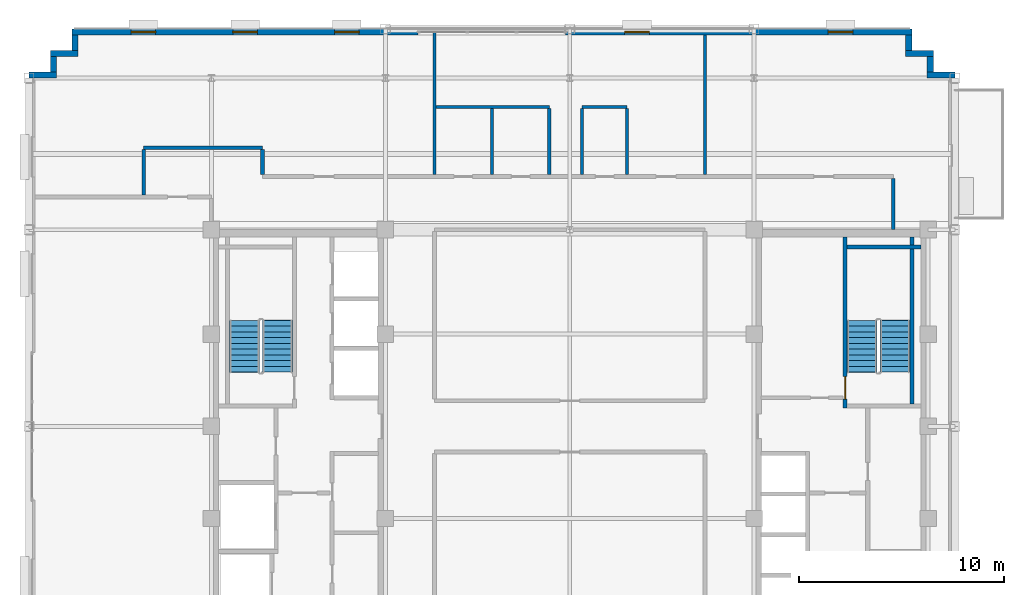
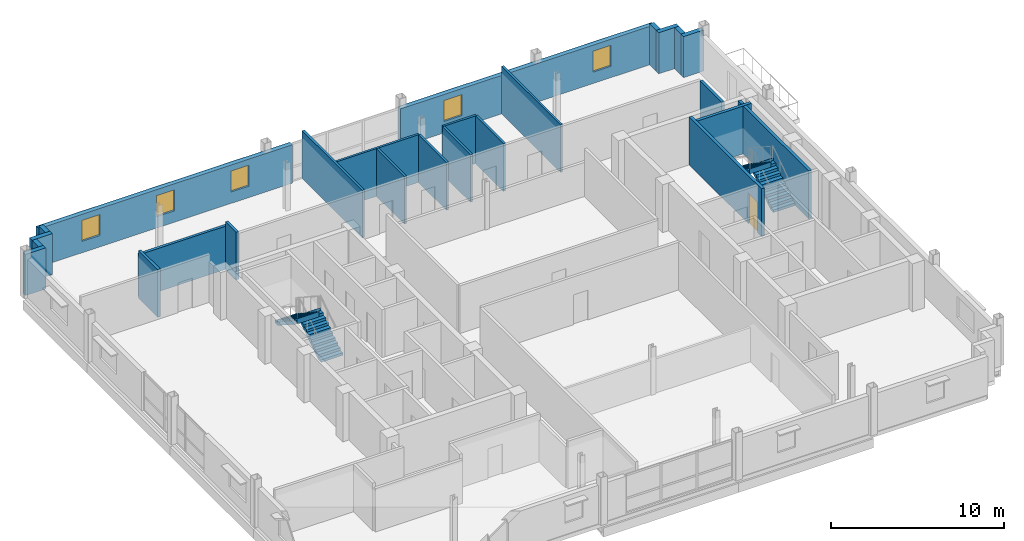
# One storey, part 8 of 16: 25 walls, 5 windows, 4 stair flights, 1 door, 6 openings, 2 elements without a shape of their own.
"""IFC4 building model written with IfcOpenShell, lengths in metres."""

import ifcopenshell
import ifcopenshell.guid

model = None  # the IFC model being written
_history = None  # IfcOwnerHistory: only IFC2X3 demands one
_inside = {}  # id of a spatial element -> (the spatial element, [elements in it])
_under = {}  # id of a project, library or spatial element -> (it, [spatial elements below it])
_declared = {}  # id of a project -> (the project, [libraries it declares])
_typed = {}  # id of a type object -> (the type object, [elements of that type])
_made_of = {}  # id of a material, layer set ... -> (it, [elements and type objects made of it])


def new_model(schema):
    """Start an empty IFC model of exactly this schema.

    Asked for "IFC4X3", IfcOpenShell would pick the latest addendum, in which some entities
    have other attributes; the version numbers below select the first issue.
    IFC2X3 requires an IfcOwnerHistory on every rooted entity: one is made here for all.
    """
    global model, _history
    if schema == "IFC4X3":
        model = ifcopenshell.file(schema_version=(4, 3, 0, 0))
    else:
        model = ifcopenshell.file(schema=schema)
    _inside.clear()
    _under.clear()
    _declared.clear()
    _typed.clear()
    _made_of.clear()
    _history = None
    if model.schema == "IFC2X3":
        org = make("IfcOrganization", Name="unknown")
        user = make(
            "IfcPersonAndOrganization",
            ThePerson=make("IfcPerson", FamilyName="unknown"),
            TheOrganization=org,
        )
        app = make(
            "IfcApplication",
            ApplicationDeveloper=org,
            Version="unknown",
            ApplicationFullName="unknown",
            ApplicationIdentifier="unknown",
        )
        _history = make(
            "IfcOwnerHistory",
            OwningUser=user,
            OwningApplication=app,
            ChangeAction="ADDED",
            CreationDate=0,
        )
    return model


def make(cls, **values):
    """One entity of the class cls with the attributes given. An attribute that is None is left unset."""
    return model.create_entity(
        cls, **{name: value for name, value in values.items() if value is not None}
    )


def rooted(cls, **values):
    """An entity with a GlobalId (a new one), such as an element, a storey or a relation."""
    return make(cls, GlobalId=ifcopenshell.guid.new(), OwnerHistory=_history, **values)


def si_unit(unit_type, name, prefix=None):
    """IfcSIUnit, for example si_unit("LENGTHUNIT", "METRE", prefix="MILLI")."""
    return make("IfcSIUnit", UnitType=unit_type, Prefix=prefix, Name=name)


def assignment(units):
    """IfcUnitAssignment: the units of a project."""
    return None if units is None else make("IfcUnitAssignment", Units=units)


def point(xyz):
    """IfcCartesianPoint."""
    return None if xyz is None else make("IfcCartesianPoint", Coordinates=xyz)


def direction(xyz):
    """IfcDirection."""
    return None if xyz is None else make("IfcDirection", DirectionRatios=xyz)


def frame(location, z_axis=None, x_axis=None):
    """IfcAxis2Placement3D, a coordinate frame: its origin and axes. An axis left out is left unset."""
    return make(
        "IfcAxis2Placement3D",
        Location=point(location),
        Axis=direction(z_axis),
        RefDirection=direction(x_axis),
    )


def frame_2d(location, x_axis=None):
    """IfcAxis2Placement2D, a coordinate frame in the plane: its origin and x axis."""
    return make(
        "IfcAxis2Placement2D", Location=point(location), RefDirection=direction(x_axis)
    )


def origin():
    """The frame at (0, 0, 0) with its axes left unset."""
    return frame((0.0, 0.0, 0.0))


def place(relative_to, where):
    """IfcLocalPlacement: puts the frame where relative to a parent placement (None: the world)."""
    return make(
        "IfcLocalPlacement", PlacementRelTo=relative_to, RelativePlacement=where
    )


def context(
    kind, dimensions, precision=None, world=None, true_north=None, identifier=None
):
    """IfcGeometricRepresentationContext, for example the 3D "Model" context."""
    return make(
        "IfcGeometricRepresentationContext",
        ContextIdentifier=identifier,
        ContextType=kind,
        CoordinateSpaceDimension=dimensions,
        Precision=precision,
        WorldCoordinateSystem=world,
        TrueNorth=true_north,
    )


def subcontext(parent, identifier, kind, view, scale=None):
    """IfcGeometricRepresentationSubContext, for example "Body" below "Model"."""
    return make(
        "IfcGeometricRepresentationSubContext",
        ContextIdentifier=identifier,
        ContextType=kind,
        ParentContext=parent,
        TargetScale=scale,
        TargetView=view,
    )


def project(units=None, contexts=None):
    """IfcProject with its units and contexts."""
    return rooted(
        "IfcProject",
        Name="project",
        RepresentationContexts=contexts,
        UnitsInContext=assignment(units),
    )


def spatial(cls, under=None, at=None, **own):
    """A site, building, storey or space (cls), placed at a placement, below another one or the project."""
    s = rooted(cls, ObjectPlacement=at, **own)
    if under is not None:
        _under.setdefault(under.id(), (under, []))[1].append(s)
    return s


def polyline(points):
    """IfcPolyline through the points."""
    return make("IfcPolyline", Points=[point(p) for p in points])


def profile(cls, at=None, kind="AREA", **sizes):
    """A parametric profile (cls). Its sizes go by their IFC names, for example OverallWidth=200.0."""
    return make(cls, ProfileType=kind, Position=at, **sizes)


def rectangle(**sizes):
    """IfcRectangleProfileDef."""
    return profile("IfcRectangleProfileDef", **sizes)


def outline(outer, holes=None, kind="AREA"):
    """IfcArbitraryClosedProfileDef: a profile drawn as a closed curve; with holes, ...WithVoids."""
    if holes is None:
        return make("IfcArbitraryClosedProfileDef", ProfileType=kind, OuterCurve=outer)
    return make(
        "IfcArbitraryProfileDefWithVoids",
        ProfileType=kind,
        OuterCurve=outer,
        InnerCurves=holes,
    )


def extrude(swept, where, along, depth):
    """IfcExtrudedAreaSolid: the profile swept, set in the frame where, extruded along a direction by depth."""
    return make(
        "IfcExtrudedAreaSolid",
        SweptArea=swept,
        Position=where,
        ExtrudedDirection=direction(along),
        Depth=depth,
    )


def shape(context_of_items, identifier, shape_type, items):
    """IfcShapeRepresentation: the items that make up one representation, for example the "Body"."""
    return make(
        "IfcShapeRepresentation",
        ContextOfItems=context_of_items,
        RepresentationIdentifier=identifier,
        RepresentationType=shape_type,
        Items=items,
    )


def source(mapping_origin, context_of_items, identifier, shape_type, items):
    """IfcRepresentationMap: a shape defined once, which mapped items show again and again."""
    return make(
        "IfcRepresentationMap",
        MappingOrigin=mapping_origin,
        MappedRepresentation=shape(context_of_items, identifier, shape_type, items),
    )


def transform(
    local_origin,
    x_axis=None,
    y_axis=None,
    z_axis=None,
    scale=None,
    scale2=None,
    scale3=None,
    uniform=True,
):
    """IfcCartesianTransformationOperator3D, or its non-uniform kind. x_axis, y_axis, z_axis: its Axis1, 2, 3."""
    if uniform:
        return make(
            "IfcCartesianTransformationOperator3D",
            Axis1=direction(x_axis),
            Axis2=direction(y_axis),
            LocalOrigin=point(local_origin),
            Scale=scale,
            Axis3=direction(z_axis),
        )
    return make(
        "IfcCartesianTransformationOperator3DnonUniform",
        Axis1=direction(x_axis),
        Axis2=direction(y_axis),
        LocalOrigin=point(local_origin),
        Scale=scale,
        Axis3=direction(z_axis),
        Scale2=scale2,
        Scale3=scale3,
    )


def mapped(mapping_source, mapping_target):
    """IfcMappedItem: shows the shape of a source again, moved by a transform."""
    return make(
        "IfcMappedItem", MappingSource=mapping_source, MappingTarget=mapping_target
    )


def material(Name=None, Category=None):
    """IfcMaterial."""
    return make("IfcMaterial", Name=Name, Category=Category)


def layer(
    of_material, thickness, ventilated=None, Name=None, Category=None, Priority=None
):
    """IfcMaterialLayer: one layer of a wall or slab, of a material (None: an air gap)."""
    return make(
        "IfcMaterialLayer",
        Material=of_material,
        LayerThickness=thickness,
        IsVentilated=ventilated,
        Name=Name,
        Category=Category,
        Priority=Priority,
    )


def layer_set(layers, Name=None):
    """IfcMaterialLayerSet."""
    return make("IfcMaterialLayerSet", MaterialLayers=layers, LayerSetName=Name)


def made_of(thing, what):
    """Note that an element or type object is made of a material, layer set ...; save() writes the relation."""
    if what is not None:
        _made_of.setdefault(what.id(), (what, []))[1].append(thing)
    return thing


def type_object(cls, material=None, **own):
    """A type object (cls), such as IfcWallType, which elements share."""
    return made_of(rooted(cls, **own), material)


def type_shapes(of_type, sources):
    """Give a type object the sources (RepresentationMaps) that its elements show as mapped items."""
    of_type.RepresentationMaps = sources


def element(
    cls,
    number,
    at=None,
    inside=None,
    cuts=None,
    type_object=None,
    material=None,
    context=None,
    identifier="Body",
    shape_type=None,
    held_by="IfcProductDefinitionShape",
    body=None,
    shapes=None,
    **own,
):
    """One element of the class cls, such as IfcWall. Its Tag is "e" and its number.

    at: its placement. inside: the storey or other place that contains it. cuts: it is an
    opening in that element (IfcRelVoidsElement). A single representation is given by context,
    identifier, shape_type and body (its items); several are given by shapes. held_by: the class
    of the entity that holds the representations. save() writes the other relations.
    """
    e = rooted(cls, Tag="e%d" % number, ObjectPlacement=at, **own)
    if body is not None:
        shapes = [shape(context, identifier, shape_type, body)]
    if shapes is not None:
        e.Representation = make(held_by, Representations=shapes)
    if inside is not None:
        _inside.setdefault(inside.id(), (inside, []))[1].append(e)
    if cuts is not None:
        rooted(
            "IfcRelVoidsElement", RelatingBuildingElement=cuts, RelatedOpeningElement=e
        )
    if type_object is not None:
        _typed.setdefault(type_object.id(), (type_object, []))[1].append(e)
    return made_of(e, material)


def fill(opening, filler):
    """IfcRelFillsElement: the door or window that sits in an opening."""
    return rooted(
        "IfcRelFillsElement",
        RelatingOpeningElement=opening,
        RelatedBuildingElement=filler,
    )


def aggregate(whole, parts):
    """IfcRelAggregates: a whole, such as a stair, and the parts it consists of."""
    return rooted("IfcRelAggregates", RelatingObject=whole, RelatedObjects=parts)


def save(model, path):
    """Write the relations noted so far, then the file.

    IfcRelAggregates (storeys below a building ...), IfcRelContainedInSpatialStructure (elements
    in a storey), IfcRelDefinesByType, IfcRelAssociatesMaterial and IfcRelDeclares: one each for
    every whole, place, type object, material and project.
    """
    for whole, parts in _under.values():
        aggregate(whole, parts)
    for where, things in _inside.values():
        rooted(
            "IfcRelContainedInSpatialStructure",
            RelatedElements=things,
            RelatingStructure=where,
        )
    for kind, things in _typed.values():
        rooted("IfcRelDefinesByType", RelatedObjects=things, RelatingType=kind)
    for what, things in _made_of.values():
        rooted("IfcRelAssociatesMaterial", RelatedObjects=things, RelatingMaterial=what)
    for by, libraries in _declared.values():
        rooted("IfcRelDeclares", RelatingContext=by, RelatedDefinitions=libraries)
    model.write(path)


model = new_model("IFC4")

# Units and contexts
model_context = context("Model", 3, precision=1e-05, world=origin(), true_north=direction((0.0, 1.0)))
body_context = subcontext(model_context, "Body", "Model", "MODEL_VIEW")
ifc_project = project(units=[si_unit("LENGTHUNIT", "METRE"), si_unit("AREAUNIT", "SQUARE_METRE"), si_unit("VOLUMEUNIT", "CUBIC_METRE"), si_unit("PLANEANGLEUNIT", "RADIAN"), si_unit("MASSUNIT", "GRAM", prefix="KILO")], contexts=[model_context])

# Site, building, storey
site_placement = place(None, origin())
site = spatial("IfcSite", under=ifc_project, at=site_placement, CompositionType="ELEMENT")
building_placement = place(site_placement, origin())
building = spatial("IfcBuilding", under=site, at=building_placement, Name="Nuvemarco Arch Tower", CompositionType="ELEMENT")
storey_placement = place(building_placement, frame((0.0, 0.0, 227.39990234375)))
storey = spatial("IfcBuildingStorey", under=building, at=storey_placement, Name="L60", CompositionType="ELEMENT", Elevation=227.39990234375)

# Walls
ifc_material_1 = material(Name="Precast concrete C45/55", Category="concrete")
ifc_layer_1 = layer(ifc_material_1, 0.300048828125, Name="EW-HIGH-300")
ifc_layer_set_1 = layer_set([ifc_layer_1], Name="Precast concrete C45/55")
wall_type_1 = type_object("IfcWallType", Name="EW-HIGH-300", PredefinedType="STANDARD", material=ifc_layer_set_1)
wall_1_placement = place(storey_placement, frame((17.449951171875, 17.14990234375, 0.0), z_axis=(0.0, 0.0, 1.0), x_axis=(1.0, 0.0, 0.0)))
element("IfcWall", 1, at=wall_1_placement, inside=storey, type_object=wall_type_1, Name="L60 exterior precast facade wall 7", PredefinedType="STANDARD", context=body_context, shape_type="SweptSolid", body=[
    extrude(rectangle(XDim=1.35009765625, YDim=0.300048828125, at=frame_2d((0.675048828125, 0.0))), origin(), (0.0, 0.0, 1.0), 2.89208984375),
])
wall_2_placement = place(storey_placement, frame((17.60009765625, 17.2958984375, 0.0), z_axis=(0.0, 0.0, 1.0), x_axis=(0.0, 1.0, 0.0)))
element("IfcWall", 2, at=wall_2_placement, inside=storey, type_object=wall_type_1, Name="L60 exterior precast facade wall 8", PredefinedType="STANDARD", context=body_context, shape_type="SweptSolid", body=[
    extrude(rectangle(XDim=0.758056640625, YDim=0.300048828125, at=frame_2d((0.37890625, 0.0))), origin(), (0.0, 0.0, 1.0), 2.89208984375),
])
wall_3_placement = place(storey_placement, frame((16.39990234375, 18.199951171875, 0.0), z_axis=(0.0, 0.0, 1.0), x_axis=(1.0, 0.0, 0.0)))
element("IfcWall", 3, at=wall_3_placement, inside=storey, type_object=wall_type_1, Name="L60 exterior precast facade wall 9", PredefinedType="STANDARD", context=body_context, shape_type="SweptSolid", body=[
    extrude(rectangle(XDim=1.35009765625, YDim=0.300048828125, at=frame_2d((0.675048828125, 0.0))), origin(), (0.0, 0.0, 1.0), 2.89208984375),
])
wall_4_placement = place(storey_placement, frame((16.550048828125, 18.345947265625, 0.0), z_axis=(0.0, 0.0, 1.0), x_axis=(0.0, 1.0, 0.0)))
element("IfcWall", 4, at=wall_4_placement, inside=storey, type_object=wall_type_1, Name="L60 exterior precast facade wall 10", PredefinedType="STANDARD", context=body_context, shape_type="SweptSolid", body=[
    extrude(rectangle(XDim=0.758056640625, YDim=0.300048828125, at=frame_2d((0.37890625, 0.0))), origin(), (0.0, 0.0, 1.0), 2.89208984375),
])

# Wall, openings, windows
wall_5_placement = place(storey_placement, frame((-24.300048828125, 19.25, 0.0), z_axis=(0.0, 0.0, 1.0), x_axis=(1.0, 0.0, 0.0)))
wall_5 = element("IfcWall", 5, at=wall_5_placement, inside=storey, type_object=wall_type_1, Name="L60 exterior precast pier wall north left", PredefinedType="STANDARD", context=body_context, shape_type="SweptSolid", body=[
    extrude(rectangle(XDim=16.900146484375, YDim=0.300048828125, at=frame_2d((8.4501953125, 0.0))), origin(), (0.0, 0.0, 1.0), 2.705078125),
])
opening_1_placement = place(wall_5_placement, frame((2.88330078125, 0.0, 0.800048828125)))
opening_1 = element("IfcOpeningElement", 6, at=opening_1_placement, cuts=wall_5, Name="Opening WN-8", PredefinedType="OPENING", context=body_context, shape_type="SweptSolid", body=[
    extrude(rectangle(XDim=1.199951171875, YDim=1.47998046875, at=frame_2d((0.60009765625, 0.739990234375))), frame((0.0, 0.159912109375, 0.0), z_axis=(0.0, -1.0, 0.0), x_axis=(1.0, 0.0, 0.0)), (0.0, 0.0, 1.0), 0.320068359375),
])
opening_2_placement = place(wall_5_placement, frame((7.85009765625, 0.0, 0.800048828125)))
opening_2 = element("IfcOpeningElement", 7, at=opening_2_placement, cuts=wall_5, Name="Opening WN-8", PredefinedType="OPENING", context=body_context, shape_type="SweptSolid", body=[
    extrude(rectangle(XDim=1.199951171875, YDim=1.47998046875, at=frame_2d((0.60009765625, 0.739990234375))), frame((0.0, 0.159912109375, 0.0), z_axis=(0.0, -1.0, 0.0), x_axis=(1.0, 0.0, 0.0)), (0.0, 0.0, 1.0), 0.320068359375),
])
opening_3_placement = place(wall_5_placement, frame((12.816650390625, 0.0, 0.800048828125)))
opening_3 = element("IfcOpeningElement", 8, at=opening_3_placement, cuts=wall_5, Name="Opening WN-8", PredefinedType="OPENING", context=body_context, shape_type="SweptSolid", body=[
    extrude(rectangle(XDim=1.199951171875, YDim=1.47998046875, at=frame_2d((0.60009765625, 0.739990234375))), frame((0.0, 0.159912109375, 0.0), z_axis=(0.0, -1.0, 0.0), x_axis=(1.0, 0.0, 0.0)), (0.0, 0.0, 1.0), 0.320068359375),
])
ifc_material_2 = material(Name="Insulated solar-control glass", Category="glass")
window_type = type_object("IfcWindowType", Name="WN-HIGH-1200x1480", PartitioningType="SINGLE_PANEL", PredefinedType="WINDOW", material=ifc_material_2)
shared_shape_1 = source(origin(), body_context, "Body", "SweptSolid", [
    extrude(rectangle(XDim=1.199951171875, YDim=1.47998046875, at=frame_2d((0.60009765625, 0.739990234375))), frame((0.0, 0.030029296875, 0.0), z_axis=(0.0, -1.0, 0.0), x_axis=(1.0, 0.0, 0.0)), (0.0, 0.0, 1.0), 0.06005859375),
])
type_shapes(window_type, [shared_shape_1])
window_1_placement = place(opening_1_placement, origin())
window_1 = element("IfcWindow", 9, at=window_1_placement, inside=storey, type_object=window_type, Name="L60 punched facade window 1", OverallHeight=1.47998046875, OverallWidth=1.199951171875, PartitioningType="SINGLE_PANEL", PredefinedType="WINDOW", context=body_context, shape_type="MappedRepresentation", body=[
    mapped(shared_shape_1, transform((0.0, 0.0, 0.0), scale=1.0)),
])
fill(opening_1, window_1)
window_2_placement = place(opening_2_placement, origin())
window_2 = element("IfcWindow", 10, at=window_2_placement, inside=storey, type_object=window_type, Name="L60 punched facade window 2", OverallHeight=1.47998046875, OverallWidth=1.199951171875, PartitioningType="SINGLE_PANEL", PredefinedType="WINDOW", context=body_context, shape_type="MappedRepresentation", body=[
    mapped(shared_shape_1, transform((0.0, 0.0, 0.0), scale=1.0)),
])
fill(opening_2, window_2)
window_3_placement = place(opening_3_placement, origin())
window_3 = element("IfcWindow", 11, at=window_3_placement, inside=storey, type_object=window_type, Name="L60 punched facade window 3", OverallHeight=1.47998046875, OverallWidth=1.199951171875, PartitioningType="SINGLE_PANEL", PredefinedType="WINDOW", context=body_context, shape_type="MappedRepresentation", body=[
    mapped(shared_shape_1, transform((0.0, 0.0, 0.0), scale=1.0)),
])
fill(opening_3, window_3)

wall_6_placement = place(storey_placement, frame((-0.199951171875, 19.25, 0.0), z_axis=(0.0, 0.0, 1.0), x_axis=(1.0, 0.0, 0.0)))
wall_6 = element("IfcWall", 12, at=wall_6_placement, inside=storey, type_object=wall_type_1, Name="L60 exterior precast pier wall north right", PredefinedType="STANDARD", context=body_context, shape_type="SweptSolid", body=[
    extrude(rectangle(XDim=16.89990234375, YDim=0.300048828125, at=frame_2d((8.449951171875, 0.0))), origin(), (0.0, 0.0, 1.0), 2.705078125),
])
opening_4_placement = place(wall_6_placement, frame((2.88330078125, 0.0, 0.800048828125)))
opening_4 = element("IfcOpeningElement", 13, at=opening_4_placement, cuts=wall_6, Name="Opening WN-8", PredefinedType="OPENING", context=body_context, shape_type="SweptSolid", body=[
    extrude(rectangle(XDim=1.199951171875, YDim=1.47998046875, at=frame_2d((0.60009765625, 0.739990234375))), frame((0.0, 0.159912109375, 0.0), z_axis=(0.0, -1.0, 0.0), x_axis=(1.0, 0.0, 0.0)), (0.0, 0.0, 1.0), 0.320068359375),
])
opening_5_placement = place(wall_6_placement, frame((12.816650390625, 0.0, 0.800048828125)))
opening_5 = element("IfcOpeningElement", 14, at=opening_5_placement, cuts=wall_6, Name="Opening WN-8", PredefinedType="OPENING", context=body_context, shape_type="SweptSolid", body=[
    extrude(rectangle(XDim=1.199951171875, YDim=1.47998046875, at=frame_2d((0.60009765625, 0.739990234375))), frame((0.0, 0.159912109375, 0.0), z_axis=(0.0, -1.0, 0.0), x_axis=(1.0, 0.0, 0.0)), (0.0, 0.0, 1.0), 0.320068359375),
])
window_4_placement = place(opening_4_placement, origin())
window_4 = element("IfcWindow", 15, at=window_4_placement, inside=storey, type_object=window_type, Name="L60 punched facade window 1", OverallHeight=1.47998046875, OverallWidth=1.199951171875, PartitioningType="SINGLE_PANEL", PredefinedType="WINDOW", context=body_context, shape_type="MappedRepresentation", body=[
    mapped(shared_shape_1, transform((0.0, 0.0, 0.0), scale=1.0)),
])
fill(opening_4, window_4)
window_5_placement = place(opening_5_placement, origin())
window_5 = element("IfcWindow", 16, at=window_5_placement, inside=storey, type_object=window_type, Name="L60 punched facade window 3", OverallHeight=1.47998046875, OverallWidth=1.199951171875, PartitioningType="SINGLE_PANEL", PredefinedType="WINDOW", context=body_context, shape_type="MappedRepresentation", body=[
    mapped(shared_shape_1, transform((0.0, 0.0, 0.0), scale=1.0)),
])
fill(opening_5, window_5)

# Walls
wall_7_placement = place(storey_placement, frame((-24.14990234375, 18.345947265625, 0.0), z_axis=(0.0, 0.0, 1.0), x_axis=(0.0, 1.0, 0.0)))
element("IfcWall", 17, at=wall_7_placement, inside=storey, type_object=wall_type_1, Name="L60 exterior precast facade wall 12", PredefinedType="STANDARD", context=body_context, shape_type="SweptSolid", body=[
    extrude(rectangle(XDim=0.758056640625, YDim=0.300048828125, at=frame_2d((0.37890625, 0.0))), origin(), (0.0, 0.0, 1.0), 2.89208984375),
])
wall_8_placement = place(storey_placement, frame((-25.35009765625, 18.199951171875, 0.0), z_axis=(0.0, 0.0, 1.0), x_axis=(1.0, 0.0, 0.0)))
element("IfcWall", 18, at=wall_8_placement, inside=storey, type_object=wall_type_1, Name="L60 exterior precast facade wall 13", PredefinedType="STANDARD", context=body_context, shape_type="SweptSolid", body=[
    extrude(rectangle(XDim=1.35009765625, YDim=0.300048828125, at=frame_2d((0.675048828125, 0.0))), origin(), (0.0, 0.0, 1.0), 2.89208984375),
])
wall_9_placement = place(storey_placement, frame((-25.199951171875, 17.2958984375, 0.0), z_axis=(0.0, 0.0, 1.0), x_axis=(0.0, 1.0, 0.0)))
element("IfcWall", 19, at=wall_9_placement, inside=storey, type_object=wall_type_1, Name="L60 exterior precast facade wall 14", PredefinedType="STANDARD", context=body_context, shape_type="SweptSolid", body=[
    extrude(rectangle(XDim=0.758056640625, YDim=0.300048828125, at=frame_2d((0.37890625, 0.0))), origin(), (0.0, 0.0, 1.0), 2.89208984375),
])
wall_10_placement = place(storey_placement, frame((-26.39990234375, 17.14990234375, 0.0), z_axis=(0.0, 0.0, 1.0), x_axis=(1.0, 0.0, 0.0)))
element("IfcWall", 20, at=wall_10_placement, inside=storey, type_object=wall_type_1, Name="L60 exterior precast facade wall 15", PredefinedType="STANDARD", context=body_context, shape_type="SweptSolid", body=[
    extrude(rectangle(XDim=1.349853515625, YDim=0.300048828125, at=frame_2d((0.6748046875, 0.0))), origin(), (0.0, 0.0, 1.0), 2.89208984375),
])
ifc_material_3 = material(Name="Fire-rated gypsum drywall partition")
ifc_layer_2 = layer(ifc_material_3, 0.179931640625, Name="WL-CORR-180")
ifc_layer_set_2 = layer_set([ifc_layer_2], Name="Fire-rated gypsum drywall partition")
wall_type_2 = type_object("IfcWallType", Name="WL-CORR-180", PredefinedType="PARTITIONING", material=ifc_layer_set_2)
wall_11_placement = place(storey_placement, frame((-20.800048828125, 13.60009765625, 0.0), z_axis=(0.0, 0.0, 1.0), x_axis=(1.0, 0.0, 0.0)))
element("IfcWall", 21, at=wall_11_placement, inside=storey, type_object=wall_type_2, Name="L60 interior wall IW-L60-014", PredefinedType="PARTITIONING", context=body_context, shape_type="SweptSolid", body=[
    extrude(rectangle(XDim=5.800048828125, YDim=0.179931640625, at=frame_2d((2.89990234375, 0.0))), origin(), (0.0, 0.0, 1.0), 3.049072265625),
])
wall_12_placement = place(storey_placement, frame((-20.800048828125, 11.285888671875, 0.0), z_axis=(0.0, 0.0, 1.0), x_axis=(0.0, 1.0, 0.0)))
element("IfcWall", 22, at=wall_12_placement, inside=storey, type_object=wall_type_2, Name="L60 interior wall IW-L60-018", PredefinedType="PARTITIONING", context=body_context, shape_type="SweptSolid", body=[
    extrude(rectangle(XDim=2.22802734375, YDim=0.179931640625, at=frame_2d((1.114013671875, 0.0))), origin(), (0.0, 0.0, 1.0), 3.360107421875),
])
wall_13_placement = place(storey_placement, frame((-15.0, 12.285888671875, 0.0), z_axis=(0.0, 0.0, 1.0), x_axis=(0.0, 1.0, 0.0)))
element("IfcWall", 23, at=wall_13_placement, inside=storey, type_object=wall_type_2, Name="L60 interior wall IW-L60-022", PredefinedType="PARTITIONING", context=body_context, shape_type="SweptSolid", body=[
    extrude(rectangle(XDim=1.22802734375, YDim=0.179931640625, at=frame_2d((0.614013671875, 0.0))), origin(), (0.0, 0.0, 1.0), 3.360107421875),
])
wall_14_placement = place(storey_placement, frame((15.800048828125, 9.60009765625, 0.0), z_axis=(0.0, 0.0, 1.0), x_axis=(0.0, 1.0, 0.0)))
element("IfcWall", 24, at=wall_14_placement, inside=storey, type_object=wall_type_2, Name="L60 interior wall IW-L60-035", PredefinedType="PARTITIONING", context=body_context, shape_type="SweptSolid", body=[
    extrude(rectangle(XDim=2.513916015625, YDim=0.179931640625, at=frame_2d((1.2568359375, 0.0))), origin(), (0.0, 0.0, 1.0), 3.360107421875),
])
ifc_material_4 = material(Name="Gypsum plasterboard partition")
ifc_layer_3 = layer(ifc_material_4, 0.139892578125, Name="WL-ROOM-140")
ifc_layer_set_3 = layer_set([ifc_layer_3], Name="Gypsum plasterboard partition")
wall_type_3 = type_object("IfcWallType", Name="WL-ROOM-140", PredefinedType="PARTITIONING", material=ifc_layer_set_3)
wall_15_placement = place(storey_placement, frame((6.60009765625, 12.285888671875, 0.0), z_axis=(0.0, 0.0, 1.0), x_axis=(0.0, 1.0, 0.0)))
element("IfcWall", 25, at=wall_15_placement, inside=storey, type_object=wall_type_3, Name="L60 interior wall IW-L60-033", PredefinedType="PARTITIONING", context=body_context, shape_type="SweptSolid", body=[
    extrude(rectangle(XDim=6.814208984375, YDim=0.139892578125, at=frame_2d((3.4072265625, 0.0))), origin(), (0.0, 0.0, 1.0), 3.360107421875),
])

# Wall, opening, door
ifc_material_5 = material(Name="Concrete C50/60", Category="concrete")
ifc_layer_4 = layer(ifc_material_5, 0.199951171875, Name="WL-SHAFT-220")
ifc_layer_set_4 = layer_set([ifc_layer_4], Name="Concrete C50/60")
wall_type_4 = type_object("IfcWallType", Name="WL-SHAFT-220", PredefinedType="SHEAR", material=ifc_layer_set_4)
wall_16_placement = place(storey_placement, frame((13.43994140625, 0.89990234375, 0.0), z_axis=(0.0, 0.0, 1.0), x_axis=(0.0, 1.0, 0.0)))
wall_16 = element("IfcWall", 26, at=wall_16_placement, inside=storey, type_object=wall_type_4, Name="L60 structural shaft wall SW-L60-E-ST2W", PredefinedType="SHEAR", context=body_context, shape_type="SweptSolid", body=[
    extrude(rectangle(XDim=8.35498046875, YDim=0.199951171875, at=frame_2d((4.177490234375, 0.0))), origin(), (0.0, 0.0, 1.0), 3.3701171875),
])
opening_6_placement = place(wall_16_placement, frame((0.429931640625, 0.0, 0.0)))
opening_6 = element("IfcOpeningElement", 27, at=opening_6_placement, cuts=wall_16, Name="Opening FD-1", PredefinedType="OPENING", context=body_context, shape_type="SweptSolid", body=[
    extrude(rectangle(XDim=1.10009765625, YDim=2.14990234375, at=frame_2d((0.550048828125, 1.074951171875))), frame((0.0, 0.10986328125, 0.0), z_axis=(0.0, -1.0, 0.0), x_axis=(1.0, 0.0, 0.0)), (0.0, 0.0, 1.0), 0.219970703125),
])
ifc_material_6 = material(Name="Anodised steel fire door", Category="steel")
door_type = type_object("IfcDoorType", Name="DR-STAIR-FD", OperationType="NOTDEFINED", PredefinedType="DOOR", material=ifc_material_6)
shared_shape_2 = source(origin(), body_context, "Body", "SweptSolid", [
    extrude(rectangle(XDim=1.10009765625, YDim=2.14990234375, at=frame_2d((0.550048828125, 1.074951171875))), frame((0.0, 0.02490234375, 0.0), z_axis=(0.0, -1.0, 0.0), x_axis=(1.0, 0.0, 0.0)), (0.0, 0.0, 1.0), 0.050048828125),
])
type_shapes(door_type, [shared_shape_2])
door_placement = place(opening_6_placement, origin())
door = element("IfcDoor", 28, at=door_placement, inside=storey, type_object=door_type, Name="L60 door FD-L60-ST2", OperationType="SINGLE_SWING_RIGHT", OverallHeight=2.14990234375, OverallWidth=1.10009765625, PredefinedType="DOOR", context=body_context, shape_type="MappedRepresentation", body=[
    mapped(shared_shape_2, transform((0.0, 0.0, 0.0), scale=1.0)),
])
fill(opening_6, door)

# Walls
wall_17_placement = place(storey_placement, frame((13.534912109375, 8.75, 0.0), z_axis=(0.0, 0.0, 1.0), x_axis=(1.0, 0.0, 0.0)))
element("IfcWall", 29, at=wall_17_placement, inside=storey, type_object=wall_type_4, Name="L60 structural shaft wall SW-L60-E-ST2N", PredefinedType="SHEAR", context=body_context, shape_type="SweptSolid", body=[
    extrude(rectangle(XDim=3.6201171875, YDim=0.199951171875, at=frame_2d((1.81005859375, 0.0))), origin(), (0.0, 0.0, 1.0), 3.3701171875),
])
wall_18_placement = place(storey_placement, frame((16.699951171875, 1.094970703125, 0.0), z_axis=(0.0, 0.0, 1.0), x_axis=(0.0, 1.0, 0.0)))
element("IfcWall", 30, at=wall_18_placement, inside=storey, type_object=wall_type_4, Name="L60 structural shaft wall SW-L60-E-ST2E", PredefinedType="SHEAR", context=body_context, shape_type="SweptSolid", body=[
    extrude(rectangle(XDim=8.159912109375, YDim=0.199951171875, at=frame_2d((4.080078125, 0.0))), origin(), (0.0, 0.0, 1.0), 3.3701171875),
])
ifc_material_7 = material(Name="Acoustic gypsum drywall partition")
ifc_layer_5 = layer(ifc_material_7, 0.159912109375, Name="WL-TENANT-160")
ifc_layer_set_5 = layer_set([ifc_layer_5], Name="Acoustic gypsum drywall partition")
wall_type_5 = type_object("IfcWallType", Name="WL-TENANT-160", PredefinedType="PARTITIONING", material=ifc_layer_set_5)
wall_19_placement = place(storey_placement, frame((-6.60009765625, 12.285888671875, 0.0), z_axis=(0.0, 0.0, 1.0), x_axis=(0.0, 1.0, 0.0)))
element("IfcWall", 31, at=wall_19_placement, inside=storey, type_object=wall_type_5, Name="L60 interior wall IW-L60-026", PredefinedType="PARTITIONING", context=body_context, shape_type="SweptSolid", body=[
    extrude(rectangle(XDim=6.94921875, YDim=0.159912109375, at=frame_2d((3.474609375, 0.0))), origin(), (0.0, 0.0, 1.0), 3.360107421875),
])
ifc_material_8 = material(Name="Moisture-resistant gypsum partition")
ifc_layer_6 = layer(ifc_material_8, 0.14990234375, Name="WL-WET-150")
ifc_layer_set_6 = layer_set([ifc_layer_6], Name="Moisture-resistant gypsum partition")
wall_type_6 = type_object("IfcWallType", Name="WL-WET-150", PredefinedType="PARTITIONING", material=ifc_layer_set_6)
wall_20_placement = place(storey_placement, frame((-6.529052734375, 15.60009765625, 0.0), z_axis=(0.0, 0.0, 1.0), x_axis=(1.0, 0.0, 0.0)))
element("IfcWall", 32, at=wall_20_placement, inside=storey, type_object=wall_type_6, Name="L60 interior wall IW-L60-015", PredefinedType="PARTITIONING", context=body_context, shape_type="SweptSolid", body=[
    extrude(rectangle(XDim=5.529052734375, YDim=0.14990234375, at=frame_2d((2.7646484375, 0.0))), origin(), (0.0, 0.0, 1.0), 3.360107421875),
])
wall_21_placement = place(storey_placement, frame((0.60009765625, 15.60009765625, 0.0), z_axis=(0.0, 0.0, 1.0), x_axis=(1.0, 0.0, 0.0)))
element("IfcWall", 33, at=wall_21_placement, inside=storey, type_object=wall_type_6, Name="L60 interior wall IW-L60-016", PredefinedType="PARTITIONING", context=body_context, shape_type="SweptSolid", body=[
    extrude(rectangle(XDim=2.199951171875, YDim=0.14990234375, at=frame_2d((1.10009765625, 0.0))), origin(), (0.0, 0.0, 1.0), 3.360107421875),
])
for number, where, z_axis, x_axis, name in (
    (34, (-3.800048828125, 12.285888671875, 0.0), (0.0, 0.0, 1.0), (0.0, 1.0, 0.0), "L60 interior wall IW-L60-027"),
    (35, (-1.0, 12.285888671875, 0.0), (0.0, 0.0, 1.0), (0.0, 1.0, 0.0), "L60 interior wall IW-L60-028"),
    (36, (0.60009765625, 12.285888671875, 0.0), (0.0, 0.0, 1.0), (0.0, 1.0, 0.0), "L60 interior wall IW-L60-029"),
    (37, (2.800048828125, 12.285888671875, 0.0), (0.0, 0.0, 1.0), (0.0, 1.0, 0.0), "L60 interior wall IW-L60-030"),
):
    element("IfcWall", number, at=place(storey_placement, frame(where, z_axis=z_axis, x_axis=x_axis)), inside=storey, type_object=wall_type_6, Name=name, PredefinedType="PARTITIONING", context=body_context, shape_type="SweptSolid", body=[
        extrude(rectangle(XDim=3.2431640625, YDim=0.14990234375, at=frame_2d((1.62158203125, 0.0))), origin(), (0.0, 0.0, 1.0), 3.360107421875),
    ])

# Stair, stair flights
stair_type = type_object("IfcStairType", Name="ST-CORE-20R", PredefinedType="HALF_TURN_STAIR", material=ifc_material_1)
stair_1_placement = place(storey_placement, origin())
stair_1 = element("IfcStair", 38, at=stair_1_placement, inside=storey, type_object=stair_type, Name="L60 Protected Exit Stair ST-1", PredefinedType="HALF_TURN_STAIR")
stair_flight_type = type_object("IfcStairFlightType", Name="SF-CORE-20R", PredefinedType="STRAIGHT", material=ifc_material_1)
stair_flight_1_placement = place(storey_placement, frame((-14.264892578125, 2.64990234375, 0.0), z_axis=(0.0, 0.0, 1.0), x_axis=(0.0, 1.0, 0.0)))
stair_flight_1 = element("IfcStairFlight", 39, at=stair_flight_1_placement, type_object=stair_flight_type, Name="ST-20R flight 1", NumberOfRisers=10, NumberOfTreads=9, PredefinedType="STRAIGHT", RiserHeight=0.1825, TreadLength=0.28, context=body_context, shape_type="SweptSolid", body=[
    extrude(outline(polyline([(0.0, 0.0), (0.0, 0.1826171875), (0.280029296875, 0.1826171875), (0.280029296875, 0.364990234375), (0.56005859375, 0.364990234375), (0.56005859375, 0.547607421875), (0.840087890625, 0.547607421875), (0.840087890625, 0.72998046875), (1.1201171875, 0.72998046875), (1.1201171875, 0.91259765625), (1.39990234375, 0.91259765625), (1.39990234375, 1.094970703125), (1.679931640625, 1.094970703125), (1.679931640625, 1.277587890625), (1.9599609375, 1.277587890625), (1.9599609375, 1.4599609375), (2.239990234375, 1.4599609375), (2.239990234375, 1.642578125), (2.52001953125, 1.642578125), (2.52001953125, 1.824951171875), (2.5400390625, 1.824951171875), (2.5400390625, 1.45166015625), (0.312744140625, 0.0), (0.0, 0.0)])), frame((0.0, 0.72509765625, 0.0), z_axis=(0.0, -1.0, 0.0), x_axis=(1.0, 0.0, 0.0)), (0.0, 0.0, 1.0), 1.449951171875),
])
stair_flight_2_placement = place(storey_placement, frame((-15.875, 5.169921875, 1.8251953125), z_axis=(0.0, 0.0, 1.0), x_axis=(0.0, -1.0, 0.0)))
stair_flight_2 = element("IfcStairFlight", 40, at=stair_flight_2_placement, type_object=stair_flight_type, Name="ST-20R flight 2", NumberOfRisers=10, NumberOfTreads=9, PredefinedType="STRAIGHT", RiserHeight=0.1825, TreadLength=0.28, context=body_context, shape_type="SweptSolid", body=[
    extrude(outline(polyline([(0.0, 0.0), (0.0, 0.1826171875), (0.280029296875, 0.1826171875), (0.280029296875, 0.364990234375), (0.56005859375, 0.364990234375), (0.56005859375, 0.547607421875), (0.840087890625, 0.547607421875), (0.840087890625, 0.72998046875), (1.1201171875, 0.72998046875), (1.1201171875, 0.91259765625), (1.39990234375, 0.91259765625), (1.39990234375, 1.094970703125), (1.679931640625, 1.094970703125), (1.679931640625, 1.277587890625), (1.9599609375, 1.277587890625), (1.9599609375, 1.4599609375), (2.239990234375, 1.4599609375), (2.239990234375, 1.642578125), (2.52001953125, 1.642578125), (2.52001953125, 1.824951171875), (2.5400390625, 1.824951171875), (2.5400390625, 1.45166015625), (0.312744140625, 0.0), (0.0, 0.0)])), frame((0.0, 0.72509765625, 0.0), z_axis=(0.0, -1.0, 0.0), x_axis=(1.0, 0.0, 0.0)), (0.0, 0.0, 1.0), 1.449951171875),
])
aggregate(stair_1, [stair_flight_1, stair_flight_2])

stair_2_placement = place(storey_placement, origin())
stair_2 = element("IfcStair", 41, at=stair_2_placement, inside=storey, type_object=stair_type, Name="L60 Protected Exit Stair ST-2", PredefinedType="HALF_TURN_STAIR")
stair_flight_3_placement = place(storey_placement, frame((15.875, 2.64990234375, 0.0), z_axis=(0.0, 0.0, 1.0), x_axis=(0.0, 1.0, 0.0)))
stair_flight_3 = element("IfcStairFlight", 42, at=stair_flight_3_placement, type_object=stair_flight_type, Name="ST-20R flight 1", NumberOfRisers=10, NumberOfTreads=9, PredefinedType="STRAIGHT", RiserHeight=0.1825, TreadLength=0.28, context=body_context, shape_type="SweptSolid", body=[
    extrude(outline(polyline([(0.0, 0.0), (0.0, 0.1826171875), (0.280029296875, 0.1826171875), (0.280029296875, 0.364990234375), (0.56005859375, 0.364990234375), (0.56005859375, 0.547607421875), (0.840087890625, 0.547607421875), (0.840087890625, 0.72998046875), (1.1201171875, 0.72998046875), (1.1201171875, 0.91259765625), (1.39990234375, 0.91259765625), (1.39990234375, 1.094970703125), (1.679931640625, 1.094970703125), (1.679931640625, 1.277587890625), (1.9599609375, 1.277587890625), (1.9599609375, 1.4599609375), (2.239990234375, 1.4599609375), (2.239990234375, 1.642578125), (2.52001953125, 1.642578125), (2.52001953125, 1.824951171875), (2.5400390625, 1.824951171875), (2.5400390625, 1.45166015625), (0.312744140625, 0.0), (0.0, 0.0)])), frame((0.0, 0.72509765625, 0.0), z_axis=(0.0, -1.0, 0.0), x_axis=(1.0, 0.0, 0.0)), (0.0, 0.0, 1.0), 1.449951171875),
])
stair_flight_4_placement = place(storey_placement, frame((14.264892578125, 5.169921875, 1.8251953125), z_axis=(0.0, 0.0, 1.0), x_axis=(0.0, -1.0, 0.0)))
stair_flight_4 = element("IfcStairFlight", 43, at=stair_flight_4_placement, type_object=stair_flight_type, Name="ST-20R flight 2", NumberOfRisers=10, NumberOfTreads=9, PredefinedType="STRAIGHT", RiserHeight=0.1825, TreadLength=0.28, context=body_context, shape_type="SweptSolid", body=[
    extrude(outline(polyline([(0.0, 0.0), (0.0, 0.1826171875), (0.280029296875, 0.1826171875), (0.280029296875, 0.364990234375), (0.56005859375, 0.364990234375), (0.56005859375, 0.547607421875), (0.840087890625, 0.547607421875), (0.840087890625, 0.72998046875), (1.1201171875, 0.72998046875), (1.1201171875, 0.91259765625), (1.39990234375, 0.91259765625), (1.39990234375, 1.094970703125), (1.679931640625, 1.094970703125), (1.679931640625, 1.277587890625), (1.9599609375, 1.277587890625), (1.9599609375, 1.4599609375), (2.239990234375, 1.4599609375), (2.239990234375, 1.642578125), (2.52001953125, 1.642578125), (2.52001953125, 1.824951171875), (2.5400390625, 1.824951171875), (2.5400390625, 1.45166015625), (0.312744140625, 0.0), (0.0, 0.0)])), frame((0.0, 0.72509765625, 0.0), z_axis=(0.0, -1.0, 0.0), x_axis=(1.0, 0.0, 0.0)), (0.0, 0.0, 1.0), 1.449951171875),
])
aggregate(stair_2, [stair_flight_3, stair_flight_4])

save(model, "model.ifc")
